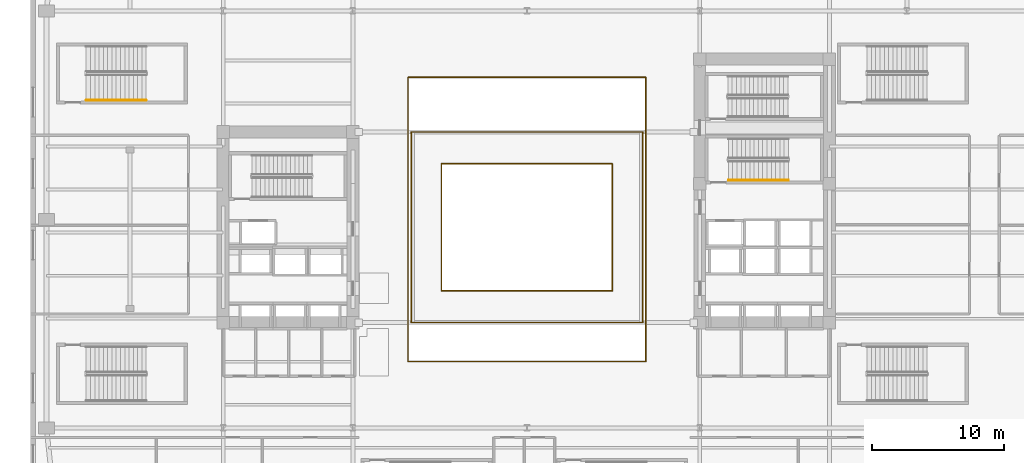
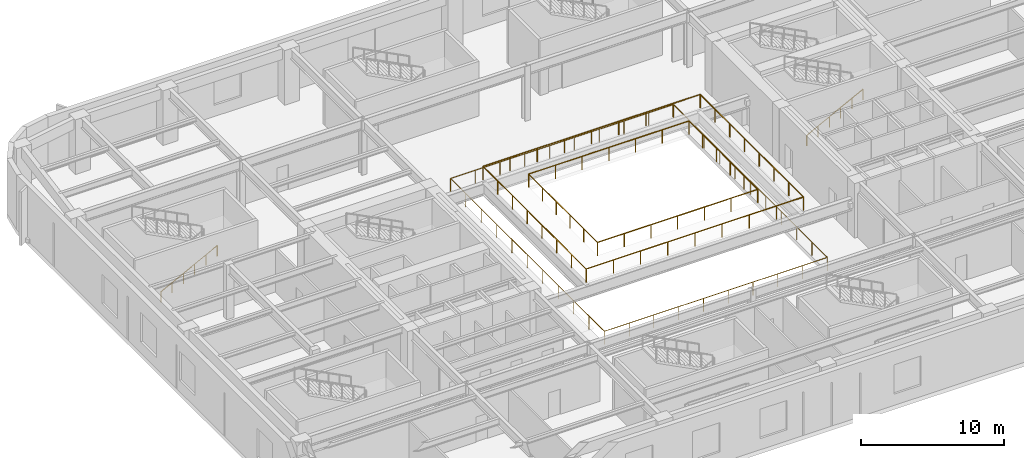
# One storey, part 17 of 22: 8 railings.
"""IFC4 building model written with IfcOpenShell, lengths in metres."""

from ifc_helpers import new_model, si_unit, direction, frame, origin, origin_2d, place, context, subcontext, project, spatial, circle, extrude, material, type_object, element, save


model = new_model("IFC4")

# Units and contexts
model_context = context("Model", 3, precision=1e-05, world=origin(), true_north=direction((0.0, 1.0)))
body_context = subcontext(model_context, "Body", "Model", "MODEL_VIEW")
ifc_project = project(units=[si_unit("LENGTHUNIT", "METRE"), si_unit("AREAUNIT", "SQUARE_METRE"), si_unit("VOLUMEUNIT", "CUBIC_METRE"), si_unit("PLANEANGLEUNIT", "RADIAN"), si_unit("MASSUNIT", "GRAM", prefix="KILO")], contexts=[model_context])

# Site, building, storey
site_placement = place(None, origin())
site = spatial("IfcSite", under=ifc_project, at=site_placement, CompositionType="ELEMENT")
building_placement = place(site_placement, origin())
building = spatial("IfcBuilding", under=site, at=building_placement, Name="Kolvaren Arena Tower", CompositionType="ELEMENT")
storey_placement = place(building_placement, frame((0.0, 0.0, 13.0)))
storey = spatial("IfcBuildingStorey", under=building, at=storey_placement, Name="L02", CompositionType="ELEMENT", Elevation=13.0)

# Railings
ifc_material_1 = material(Name="Heavy-duty crowd steel guardrail", Category="steel")
railing_type_1 = type_object("IfcRailingType", Name="GUARD-ARN-110", PredefinedType="GUARDRAIL", material=ifc_material_1)
railing_1_placement = place(storey_placement, frame((28.52001953125, 16.52001953125, 0.0)))
element("IfcRailing", 1, at=railing_1_placement, inside=storey, type_object=railing_type_1, Name="Arena Concourse Well Perimeter Guard (L02)", PredefinedType="GUARDRAIL", context=body_context, shape_type="SweptSolid", body=[
    extrude(circle(Radius=0.02734375, at=origin_2d()), frame((0.0, 0.0, 1.12255859375), z_axis=(1.0, 0.0, 0.0), x_axis=(0.0, 1.0, 0.0)), (0.0, 0.0, 1.0), 17.9599609375),
    extrude(circle(Radius=0.02734375, at=origin_2d()), frame((17.9599609375, 0.0, 1.12255859375), z_axis=(0.0, 1.0, 0.0), x_axis=(-1.0, 0.0, 0.0)), (0.0, 0.0, 1.0), 21.4599609375),
    extrude(circle(Radius=0.0224609375, at=origin_2d()), origin(), (0.0, 0.0, 1.0), 1.094970703125),
    extrude(circle(Radius=0.0224609375, at=origin_2d()), frame((1.99560546875, 0.0, 0.0)), (0.0, 0.0, 1.0), 1.094970703125),
    extrude(circle(Radius=0.0224609375, at=origin_2d()), frame((3.9912109375, 0.0, 0.0)), (0.0, 0.0, 1.0), 1.094970703125),
    extrude(circle(Radius=0.0224609375, at=origin_2d()), frame((5.986572265625, 0.0, 0.0)), (0.0, 0.0, 1.0), 1.094970703125),
    extrude(circle(Radius=0.0224609375, at=origin_2d()), frame((7.982177734375, 0.0, 0.0)), (0.0, 0.0, 1.0), 1.094970703125),
    extrude(circle(Radius=0.0224609375, at=origin_2d()), frame((9.977783203125, 0.0, 0.0)), (0.0, 0.0, 1.0), 1.094970703125),
    extrude(circle(Radius=0.0224609375, at=origin_2d()), frame((11.973388671875, 0.0, 0.0)), (0.0, 0.0, 1.0), 1.094970703125),
    extrude(circle(Radius=0.0224609375, at=origin_2d()), frame((13.96875, 0.0, 0.0)), (0.0, 0.0, 1.0), 1.094970703125),
    extrude(circle(Radius=0.0224609375, at=origin_2d()), frame((15.96435546875, 0.0, 0.0)), (0.0, 0.0, 1.0), 1.094970703125),
    extrude(circle(Radius=0.0224609375, at=origin_2d()), frame((17.9599609375, 0.0, 0.0)), (0.0, 0.0, 1.0), 1.094970703125),
    extrude(circle(Radius=0.0224609375, at=origin_2d()), frame((17.9599609375, 2.14599609375, 0.0)), (0.0, 0.0, 1.0), 1.094970703125),
    extrude(circle(Radius=0.0224609375, at=origin_2d()), frame((17.9599609375, 4.2919921875, 0.0)), (0.0, 0.0, 1.0), 1.094970703125),
    extrude(circle(Radius=0.0224609375, at=origin_2d()), frame((17.9599609375, 6.43798828125, 0.0)), (0.0, 0.0, 1.0), 1.094970703125),
    extrude(circle(Radius=0.0224609375, at=origin_2d()), frame((17.9599609375, 8.583984375, 0.0)), (0.0, 0.0, 1.0), 1.094970703125),
    extrude(circle(Radius=0.0224609375, at=origin_2d()), frame((17.9599609375, 10.72998046875, 0.0)), (0.0, 0.0, 1.0), 1.094970703125),
    extrude(circle(Radius=0.0224609375, at=origin_2d()), frame((17.9599609375, 12.8759765625, 0.0)), (0.0, 0.0, 1.0), 1.094970703125),
    extrude(circle(Radius=0.0224609375, at=origin_2d()), frame((17.9599609375, 15.02197265625, 0.0)), (0.0, 0.0, 1.0), 1.094970703125),
    extrude(circle(Radius=0.0224609375, at=origin_2d()), frame((17.9599609375, 17.16796875, 0.0)), (0.0, 0.0, 1.0), 1.094970703125),
    extrude(circle(Radius=0.0224609375, at=origin_2d()), frame((17.9599609375, 19.31396484375, 0.0)), (0.0, 0.0, 1.0), 1.094970703125),
    extrude(circle(Radius=0.0224609375, at=origin_2d()), frame((17.9599609375, 21.4599609375, 0.0)), (0.0, 0.0, 1.0), 1.094970703125),
])
railing_2_placement = place(storey_placement, frame((46.47998046875, 37.97998046875, 0.0)))
element("IfcRailing", 2, at=railing_2_placement, inside=storey, type_object=railing_type_1, Name="Arena Concourse Well Perimeter Guard (L02)", PredefinedType="GUARDRAIL", context=body_context, shape_type="SweptSolid", body=[
    extrude(circle(Radius=0.02734375, at=origin_2d()), frame((0.0, 0.0, 1.12255859375), z_axis=(-1.0, 0.0, 0.0), x_axis=(0.0, -1.0, 0.0)), (0.0, 0.0, 1.0), 17.9599609375),
    extrude(circle(Radius=0.02734375, at=origin_2d()), frame((-17.9599609375, 0.0, 1.12255859375), z_axis=(0.0, -1.0, 0.0), x_axis=(1.0, 0.0, 0.0)), (0.0, 0.0, 1.0), 21.4599609375),
    extrude(circle(Radius=0.0224609375, at=origin_2d()), origin(), (0.0, 0.0, 1.0), 1.094970703125),
    extrude(circle(Radius=0.0224609375, at=origin_2d()), frame((-1.99560546875, 0.0, 0.0)), (0.0, 0.0, 1.0), 1.094970703125),
    extrude(circle(Radius=0.0224609375, at=origin_2d()), frame((-3.9912109375, 0.0, 0.0)), (0.0, 0.0, 1.0), 1.094970703125),
    extrude(circle(Radius=0.0224609375, at=origin_2d()), frame((-5.986572265625, 0.0, 0.0)), (0.0, 0.0, 1.0), 1.094970703125),
    extrude(circle(Radius=0.0224609375, at=origin_2d()), frame((-7.982177734375, 0.0, 0.0)), (0.0, 0.0, 1.0), 1.094970703125),
    extrude(circle(Radius=0.0224609375, at=origin_2d()), frame((-9.977783203125, 0.0, 0.0)), (0.0, 0.0, 1.0), 1.094970703125),
    extrude(circle(Radius=0.0224609375, at=origin_2d()), frame((-11.973388671875, 0.0, 0.0)), (0.0, 0.0, 1.0), 1.094970703125),
    extrude(circle(Radius=0.0224609375, at=origin_2d()), frame((-13.96875, 0.0, 0.0)), (0.0, 0.0, 1.0), 1.094970703125),
    extrude(circle(Radius=0.0224609375, at=origin_2d()), frame((-15.96435546875, 0.0, 0.0)), (0.0, 0.0, 1.0), 1.094970703125),
    extrude(circle(Radius=0.0224609375, at=origin_2d()), frame((-17.9599609375, 0.0, 0.0)), (0.0, 0.0, 1.0), 1.094970703125),
    extrude(circle(Radius=0.0224609375, at=origin_2d()), frame((-17.9599609375, -2.14599609375, 0.0)), (0.0, 0.0, 1.0), 1.094970703125),
    extrude(circle(Radius=0.0224609375, at=origin_2d()), frame((-17.9599609375, -4.2919921875, 0.0)), (0.0, 0.0, 1.0), 1.094970703125),
    extrude(circle(Radius=0.0224609375, at=origin_2d()), frame((-17.9599609375, -6.43798828125, 0.0)), (0.0, 0.0, 1.0), 1.094970703125),
    extrude(circle(Radius=0.0224609375, at=origin_2d()), frame((-17.9599609375, -8.583984375, 0.0)), (0.0, 0.0, 1.0), 1.094970703125),
    extrude(circle(Radius=0.0224609375, at=origin_2d()), frame((-17.9599609375, -10.72998046875, 0.0)), (0.0, 0.0, 1.0), 1.094970703125),
    extrude(circle(Radius=0.0224609375, at=origin_2d()), frame((-17.9599609375, -12.8759765625, 0.0)), (0.0, 0.0, 1.0), 1.094970703125),
    extrude(circle(Radius=0.0224609375, at=origin_2d()), frame((-17.9599609375, -15.02197265625, 0.0)), (0.0, 0.0, 1.0), 1.094970703125),
    extrude(circle(Radius=0.0224609375, at=origin_2d()), frame((-17.9599609375, -17.16796875, 0.0)), (0.0, 0.0, 1.0), 1.094970703125),
    extrude(circle(Radius=0.0224609375, at=origin_2d()), frame((-17.9599609375, -19.31396484375, 0.0)), (0.0, 0.0, 1.0), 1.094970703125),
    extrude(circle(Radius=0.0224609375, at=origin_2d()), frame((-17.9599609375, -21.4599609375, 0.0)), (0.0, 0.0, 1.0), 1.094970703125),
])
railing_3_placement = place(storey_placement, frame((31.050048828125, 21.85009765625, 3.449951171875)))
element("IfcRailing", 3, at=railing_3_placement, inside=storey, type_object=railing_type_1, Name="Arena Bowl In Guard (L02)", PredefinedType="GUARDRAIL", context=body_context, shape_type="SweptSolid", body=[
    extrude(circle(Radius=0.02734375, at=origin_2d()), frame((0.0, 0.0, 1.12255859375), z_axis=(1.0, 0.0, 0.0), x_axis=(0.0, 1.0, 0.0)), (0.0, 0.0, 1.0), 12.89990234375),
    extrude(circle(Radius=0.02734375, at=origin_2d()), frame((12.89990234375, 0.0, 1.12255859375), z_axis=(0.0, 1.0, 0.0), x_axis=(-1.0, 0.0, 0.0)), (0.0, 0.0, 1.0), 9.599853515625),
    extrude(circle(Radius=0.0224609375, at=origin_2d()), origin(), (0.0, 0.0, 1.0), 1.094970703125),
    extrude(circle(Radius=0.0224609375, at=origin_2d()), frame((2.14990234375, 0.0, 0.0)), (0.0, 0.0, 1.0), 1.094970703125),
    extrude(circle(Radius=0.0224609375, at=origin_2d()), frame((4.300048828125, 0.0, 0.0)), (0.0, 0.0, 1.0), 1.094970703125),
    extrude(circle(Radius=0.0224609375, at=origin_2d()), frame((6.449951171875, 0.0, 0.0)), (0.0, 0.0, 1.0), 1.094970703125),
    extrude(circle(Radius=0.0224609375, at=origin_2d()), frame((8.599853515625, 0.0, 0.0)), (0.0, 0.0, 1.0), 1.094970703125),
    extrude(circle(Radius=0.0224609375, at=origin_2d()), frame((10.75, 0.0, 0.0)), (0.0, 0.0, 1.0), 1.094970703125),
    extrude(circle(Radius=0.0224609375, at=origin_2d()), frame((12.89990234375, 0.0, 0.0)), (0.0, 0.0, 1.0), 1.094970703125),
    extrude(circle(Radius=0.0224609375, at=origin_2d()), frame((12.89990234375, 1.919921875, 0.0)), (0.0, 0.0, 1.0), 1.094970703125),
    extrude(circle(Radius=0.0224609375, at=origin_2d()), frame((12.89990234375, 3.83984375, 0.0)), (0.0, 0.0, 1.0), 1.094970703125),
    extrude(circle(Radius=0.0224609375, at=origin_2d()), frame((12.89990234375, 5.760009765625, 0.0)), (0.0, 0.0, 1.0), 1.094970703125),
    extrude(circle(Radius=0.0224609375, at=origin_2d()), frame((12.89990234375, 7.679931640625, 0.0)), (0.0, 0.0, 1.0), 1.094970703125),
    extrude(circle(Radius=0.0224609375, at=origin_2d()), frame((12.89990234375, 9.599853515625, 0.0)), (0.0, 0.0, 1.0), 1.094970703125),
])
railing_4_placement = place(storey_placement, frame((43.949951171875, 31.449951171875, 3.449951171875)))
element("IfcRailing", 4, at=railing_4_placement, inside=storey, type_object=railing_type_1, Name="Arena Bowl In Guard (L02)", PredefinedType="GUARDRAIL", context=body_context, shape_type="SweptSolid", body=[
    extrude(circle(Radius=0.02734375, at=origin_2d()), frame((0.0, 0.0, 1.12255859375), z_axis=(-1.0, 0.0, 0.0), x_axis=(0.0, -1.0, 0.0)), (0.0, 0.0, 1.0), 12.89990234375),
    extrude(circle(Radius=0.02734375, at=origin_2d()), frame((-12.89990234375, 0.0, 1.12255859375), z_axis=(0.0, -1.0, 0.0), x_axis=(1.0, 0.0, 0.0)), (0.0, 0.0, 1.0), 9.599853515625),
    extrude(circle(Radius=0.0224609375, at=origin_2d()), origin(), (0.0, 0.0, 1.0), 1.094970703125),
    extrude(circle(Radius=0.0224609375, at=origin_2d()), frame((-2.14990234375, 0.0, 0.0)), (0.0, 0.0, 1.0), 1.094970703125),
    extrude(circle(Radius=0.0224609375, at=origin_2d()), frame((-4.300048828125, 0.0, 0.0)), (0.0, 0.0, 1.0), 1.094970703125),
    extrude(circle(Radius=0.0224609375, at=origin_2d()), frame((-6.449951171875, 0.0, 0.0)), (0.0, 0.0, 1.0), 1.094970703125),
    extrude(circle(Radius=0.0224609375, at=origin_2d()), frame((-8.599853515625, 0.0, 0.0)), (0.0, 0.0, 1.0), 1.094970703125),
    extrude(circle(Radius=0.0224609375, at=origin_2d()), frame((-10.75, 0.0, 0.0)), (0.0, 0.0, 1.0), 1.094970703125),
    extrude(circle(Radius=0.0224609375, at=origin_2d()), frame((-12.89990234375, 0.0, 0.0)), (0.0, 0.0, 1.0), 1.094970703125),
    extrude(circle(Radius=0.0224609375, at=origin_2d()), frame((-12.89990234375, -1.919921875, 0.0)), (0.0, 0.0, 1.0), 1.094970703125),
    extrude(circle(Radius=0.0224609375, at=origin_2d()), frame((-12.89990234375, -3.83984375, 0.0)), (0.0, 0.0, 1.0), 1.094970703125),
    extrude(circle(Radius=0.0224609375, at=origin_2d()), frame((-12.89990234375, -5.760009765625, 0.0)), (0.0, 0.0, 1.0), 1.094970703125),
    extrude(circle(Radius=0.0224609375, at=origin_2d()), frame((-12.89990234375, -7.679931640625, 0.0)), (0.0, 0.0, 1.0), 1.094970703125),
    extrude(circle(Radius=0.0224609375, at=origin_2d()), frame((-12.89990234375, -9.599853515625, 0.0)), (0.0, 0.0, 1.0), 1.094970703125),
])
railing_5_placement = place(storey_placement, frame((28.75, 19.449951171875, 3.449951171875)))
element("IfcRailing", 5, at=railing_5_placement, inside=storey, type_object=railing_type_1, Name="Arena Bowl Out Guard (L02)", PredefinedType="GUARDRAIL", context=body_context, shape_type="SweptSolid", body=[
    extrude(circle(Radius=0.02734375, at=origin_2d()), frame((0.0, 0.0, 1.12255859375), z_axis=(1.0, 0.0, 0.0), x_axis=(0.0, 1.0, 0.0)), (0.0, 0.0, 1.0), 17.5),
    extrude(circle(Radius=0.02734375, at=origin_2d()), frame((17.5, 0.0, 1.12255859375), z_axis=(0.0, 1.0, 0.0), x_axis=(-1.0, 0.0, 0.0)), (0.0, 0.0, 1.0), 14.400146484375),
    extrude(circle(Radius=0.0224609375, at=origin_2d()), origin(), (0.0, 0.0, 1.0), 1.094970703125),
    extrude(circle(Radius=0.0224609375, at=origin_2d()), frame((2.1875, 0.0, 0.0)), (0.0, 0.0, 1.0), 1.094970703125),
    extrude(circle(Radius=0.0224609375, at=origin_2d()), frame((4.375, 0.0, 0.0)), (0.0, 0.0, 1.0), 1.094970703125),
    extrude(circle(Radius=0.0224609375, at=origin_2d()), frame((6.5625, 0.0, 0.0)), (0.0, 0.0, 1.0), 1.094970703125),
    extrude(circle(Radius=0.0224609375, at=origin_2d()), frame((8.75, 0.0, 0.0)), (0.0, 0.0, 1.0), 1.094970703125),
    extrude(circle(Radius=0.0224609375, at=origin_2d()), frame((10.9375, 0.0, 0.0)), (0.0, 0.0, 1.0), 1.094970703125),
    extrude(circle(Radius=0.0224609375, at=origin_2d()), frame((13.125, 0.0, 0.0)), (0.0, 0.0, 1.0), 1.094970703125),
    extrude(circle(Radius=0.0224609375, at=origin_2d()), frame((15.3125, 0.0, 0.0)), (0.0, 0.0, 1.0), 1.094970703125),
    extrude(circle(Radius=0.0224609375, at=origin_2d()), frame((17.5, 0.0, 0.0)), (0.0, 0.0, 1.0), 1.094970703125),
    extrude(circle(Radius=0.0224609375, at=origin_2d()), frame((17.5, 2.05712890625, 0.0)), (0.0, 0.0, 1.0), 1.094970703125),
    extrude(circle(Radius=0.0224609375, at=origin_2d()), frame((17.5, 4.1142578125, 0.0)), (0.0, 0.0, 1.0), 1.094970703125),
    extrude(circle(Radius=0.0224609375, at=origin_2d()), frame((17.5, 6.17138671875, 0.0)), (0.0, 0.0, 1.0), 1.094970703125),
    extrude(circle(Radius=0.0224609375, at=origin_2d()), frame((17.5, 8.228759765625, 0.0)), (0.0, 0.0, 1.0), 1.094970703125),
    extrude(circle(Radius=0.0224609375, at=origin_2d()), frame((17.5, 10.285888671875, 0.0)), (0.0, 0.0, 1.0), 1.094970703125),
    extrude(circle(Radius=0.0224609375, at=origin_2d()), frame((17.5, 12.343017578125, 0.0)), (0.0, 0.0, 1.0), 1.094970703125),
    extrude(circle(Radius=0.0224609375, at=origin_2d()), frame((17.5, 14.400146484375, 0.0)), (0.0, 0.0, 1.0), 1.094970703125),
])
railing_6_placement = place(storey_placement, frame((46.25, 33.85009765625, 3.449951171875)))
element("IfcRailing", 6, at=railing_6_placement, inside=storey, type_object=railing_type_1, Name="Arena Bowl Out Guard (L02)", PredefinedType="GUARDRAIL", context=body_context, shape_type="SweptSolid", body=[
    extrude(circle(Radius=0.02734375, at=origin_2d()), frame((0.0, 0.0, 1.12255859375), z_axis=(-1.0, 0.0, 0.0), x_axis=(0.0, -1.0, 0.0)), (0.0, 0.0, 1.0), 17.5),
    extrude(circle(Radius=0.02734375, at=origin_2d()), frame((-17.5, 0.0, 1.12255859375), z_axis=(0.0, -1.0, 0.0), x_axis=(1.0, 0.0, 0.0)), (0.0, 0.0, 1.0), 14.400146484375),
    extrude(circle(Radius=0.0224609375, at=origin_2d()), origin(), (0.0, 0.0, 1.0), 1.094970703125),
    extrude(circle(Radius=0.0224609375, at=origin_2d()), frame((-2.1875, 0.0, 0.0)), (0.0, 0.0, 1.0), 1.094970703125),
    extrude(circle(Radius=0.0224609375, at=origin_2d()), frame((-4.375, 0.0, 0.0)), (0.0, 0.0, 1.0), 1.094970703125),
    extrude(circle(Radius=0.0224609375, at=origin_2d()), frame((-6.5625, 0.0, 0.0)), (0.0, 0.0, 1.0), 1.094970703125),
    extrude(circle(Radius=0.0224609375, at=origin_2d()), frame((-8.75, 0.0, 0.0)), (0.0, 0.0, 1.0), 1.094970703125),
    extrude(circle(Radius=0.0224609375, at=origin_2d()), frame((-10.9375, 0.0, 0.0)), (0.0, 0.0, 1.0), 1.094970703125),
    extrude(circle(Radius=0.0224609375, at=origin_2d()), frame((-13.125, 0.0, 0.0)), (0.0, 0.0, 1.0), 1.094970703125),
    extrude(circle(Radius=0.0224609375, at=origin_2d()), frame((-15.3125, 0.0, 0.0)), (0.0, 0.0, 1.0), 1.094970703125),
    extrude(circle(Radius=0.0224609375, at=origin_2d()), frame((-17.5, 0.0, 0.0)), (0.0, 0.0, 1.0), 1.094970703125),
    extrude(circle(Radius=0.0224609375, at=origin_2d()), frame((-17.5, -2.05712890625, 0.0)), (0.0, 0.0, 1.0), 1.094970703125),
    extrude(circle(Radius=0.0224609375, at=origin_2d()), frame((-17.5, -4.1142578125, 0.0)), (0.0, 0.0, 1.0), 1.094970703125),
    extrude(circle(Radius=0.0224609375, at=origin_2d()), frame((-17.5, -6.17138671875, 0.0)), (0.0, 0.0, 1.0), 1.094970703125),
    extrude(circle(Radius=0.0224609375, at=origin_2d()), frame((-17.5, -8.228759765625, 0.0)), (0.0, 0.0, 1.0), 1.094970703125),
    extrude(circle(Radius=0.0224609375, at=origin_2d()), frame((-17.5, -10.285888671875, 0.0)), (0.0, 0.0, 1.0), 1.094970703125),
    extrude(circle(Radius=0.0224609375, at=origin_2d()), frame((-17.5, -12.343017578125, 0.0)), (0.0, 0.0, 1.0), 1.094970703125),
    extrude(circle(Radius=0.0224609375, at=origin_2d()), frame((-17.5, -14.400146484375, 0.0)), (0.0, 0.0, 1.0), 1.094970703125),
])
ifc_material_2 = material(Name="Brushed stainless steel handrail", Category="steel")
railing_type_2 = type_object("IfcRailingType", Name="HRAIL-900", PredefinedType="HANDRAIL", material=ifc_material_2)
for number, where, name in (
    (7, (52.719970703125, 30.199951171875, 0.166748046875), "L02 ST-E1 stair handrail 1"),
    (8, (4.199951171875, 36.25, 0.166748046875), "L02 ST-A5 stair handrail 1"),
):
    element("IfcRailing", number, at=place(storey_placement, frame(where)), inside=storey, type_object=railing_type_2, Name=name, PredefinedType="HANDRAIL", context=body_context, shape_type="SweptSolid", body=[
        extrude(circle(Radius=0.02392578125, at=origin_2d()), frame((0.0, 0.0, 0.8759765625), z_axis=(0.889257211316, 0.0, 0.457407490234), x_axis=(0.0, 1.0, 0.0)), (0.0, 0.0, 1.0), 5.10107421875),
        extrude(circle(Radius=0.02099609375, at=origin_2d()), origin(), (0.0, 0.0, 1.0), 0.851806640625),
        extrude(circle(Radius=0.02099609375, at=origin_2d()), frame((0.9072265625, 0.0, 0.466552734375)), (0.0, 0.0, 1.0), 0.851806640625),
        extrude(circle(Radius=0.02099609375, at=origin_2d()), frame((1.814453125, 0.0, 0.933349609375)), (0.0, 0.0, 1.0), 0.851806640625),
        extrude(circle(Radius=0.02099609375, at=origin_2d()), frame((2.7216796875, 0.0, 1.39990234375)), (0.0, 0.0, 1.0), 0.851806640625),
        extrude(circle(Radius=0.02099609375, at=origin_2d()), frame((3.62890625, 0.0, 1.86669921875)), (0.0, 0.0, 1.0), 0.851806640625),
        extrude(circle(Radius=0.02099609375, at=origin_2d()), frame((4.5361328125, 0.0, 2.333251953125)), (0.0, 0.0, 1.0), 0.851806640625),
    ])

save(model, "model.ifc")
